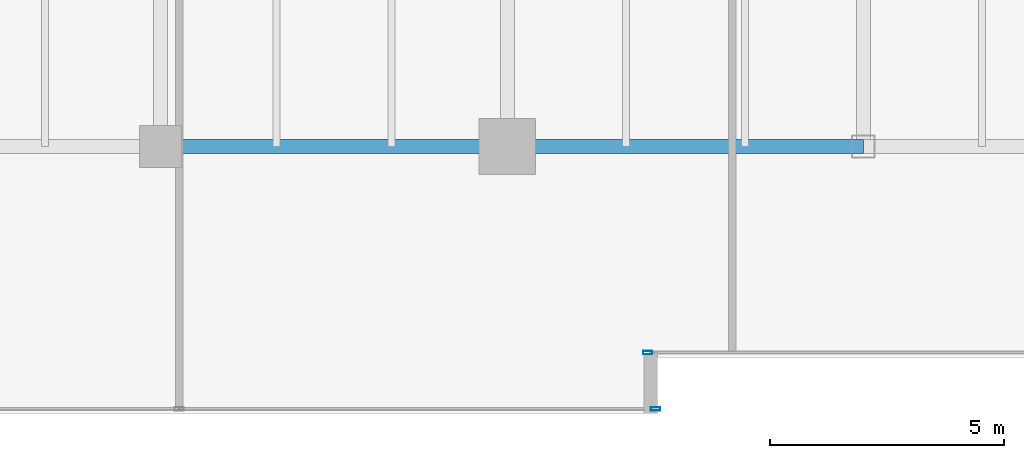
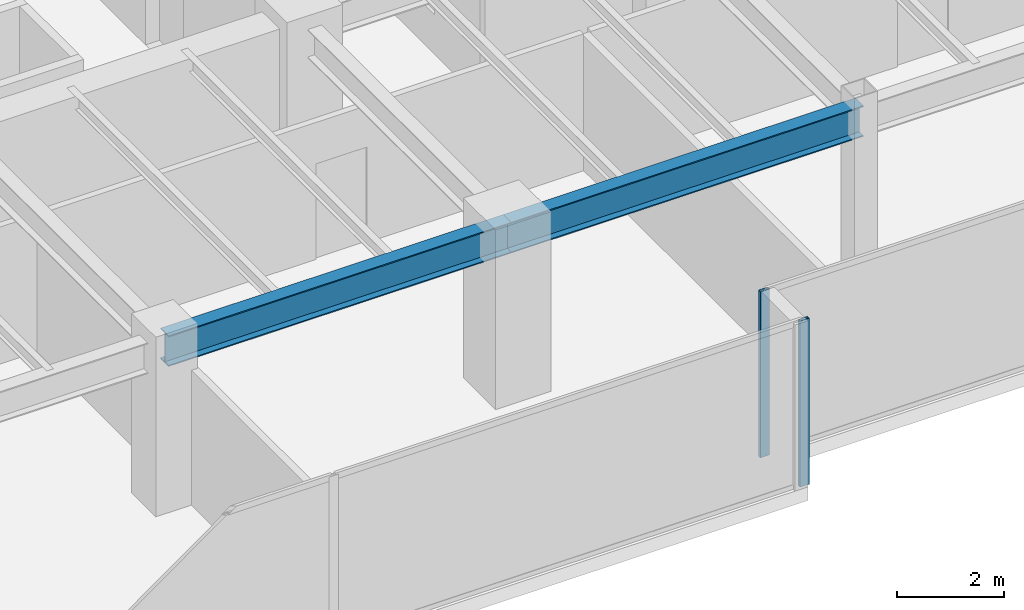
# One storey, part 4 of 30: 2 beams, 2 members, 2 elements without a shape of their own.
"""IFC4 building model written with IfcOpenShell, lengths in metres."""

from ifc_helpers import new_model, si_unit, direction, frame, origin, origin_2d, place, context, subcontext, project, spatial, hollow_rectangle, i_section, extrude, source, transform, mapped, material, layer, layer_set, material_profile, profile_set, type_object, type_shapes, element, aggregate, save


model = new_model("IFC4")

# Units and contexts
model_context = context("Model", 3, precision=1e-05, world=origin(), true_north=direction((0.0, 1.0)))
body_context = subcontext(model_context, "Body", "Model", "MODEL_VIEW")
ifc_project = project(units=[si_unit("LENGTHUNIT", "METRE"), si_unit("AREAUNIT", "SQUARE_METRE"), si_unit("VOLUMEUNIT", "CUBIC_METRE"), si_unit("PLANEANGLEUNIT", "RADIAN"), si_unit("MASSUNIT", "GRAM", prefix="KILO")], contexts=[model_context])

# Site, building, storey
site_placement = place(None, origin())
site = spatial("IfcSite", under=ifc_project, at=site_placement, CompositionType="ELEMENT")
building_placement = place(site_placement, origin())
building = spatial("IfcBuilding", under=site, at=building_placement, Name="Haelvirn Gate Laboratories", CompositionType="ELEMENT")
storey_placement = place(building_placement, frame((0.0, 0.0, 105.10009765625)))
storey = spatial("IfcBuildingStorey", under=building, at=storey_placement, Name="L25", CompositionType="ELEMENT", Elevation=105.10009765625)

# Beams
ifc_material_1 = material(Name="Steel SM355", Category="steel")
ifc_material_profile_1 = material_profile(ifc_material_1, i_section(OverallWidth=0.300048828125, OverallDepth=0.699951171875, WebThickness=0.012939453125, FlangeThickness=0.02392578125, at=origin_2d()), Name="H-700x300x13x24")
ifc_profile_set_1 = profile_set([ifc_material_profile_1], Name="Steel SM355")
beam_type = type_object("IfcBeamType", Name="BM-G-700", PredefinedType="BEAM", material=ifc_profile_set_1)
shared_shape_1 = source(origin(), body_context, "Body", "SweptSolid", [
    extrude(i_section(OverallWidth=0.300048828125, OverallDepth=0.699951171875, WebThickness=0.012939453125, FlangeThickness=0.02392578125, at=origin_2d()), origin(), (0.0, 0.0, 1.0), 7.39990234375),
])
beam_1_placement = place(storey_placement, frame((14.800048828125, 7.0, 3.43994140625), z_axis=(1.0, 0.0, 0.0), x_axis=(0.0, 1.0, 0.0)))
element("IfcBeam", 1, at=beam_1_placement, inside=storey, type_object=beam_type, Name="L25 Primary Girder Y7.0 (14.8-22.2)", PredefinedType="BEAM", context=body_context, shape_type="MappedRepresentation", body=[
    mapped(shared_shape_1, transform((0.0, 0.0, 0.0), scale=1.0)),
])
shared_shape_2 = source(origin(), body_context, "Body", "SweptSolid", [
    extrude(i_section(OverallWidth=0.300048828125, OverallDepth=0.699951171875, WebThickness=0.012939453125, FlangeThickness=0.02392578125, at=origin_2d()), origin(), (0.0, 0.0, 1.0), 7.60009765625),
])
type_shapes(beam_type, [shared_shape_1, shared_shape_2])
beam_2_placement = place(storey_placement, frame((22.199951171875, 7.0, 3.43994140625), z_axis=(1.0, 0.0, 0.0), x_axis=(0.0, 1.0, 0.0)))
element("IfcBeam", 2, at=beam_2_placement, inside=storey, type_object=beam_type, Name="L25 Primary Girder Y7.0 (22.2-29.8)", PredefinedType="BEAM", context=body_context, shape_type="MappedRepresentation", body=[
    mapped(shared_shape_2, transform((0.0, 0.0, 0.0), scale=1.0)),
])

# Curtain wall, member
ifc_material_2 = material(Name="Anodised bronze unitised aluminium & triple low-E glass", Category="aluminium")
ifc_layer = layer(ifc_material_2, 0.179931640625, Name="CW-SYS-3")
ifc_layer_set = layer_set([ifc_layer], Name="Anodised bronze unitised aluminium & triple low-E glass")
curtain_wall_type = type_object("IfcCurtainWallType", Name="CW-SYS-3", PredefinedType="NOTDEFINED", material=ifc_layer_set)
curtain_wall_1_placement = place(storey_placement, origin())
curtain_wall_1 = element("IfcCurtainWall", 3, at=curtain_wall_1_placement, inside=storey, type_object=curtain_wall_type, Name="L25 Unitised Curtain Wall CW-L25-P0-E00-1", PredefinedType="NOTDEFINED")
ifc_material_3 = material(Name="Extruded aluminium 6063-T6 (anodised bronze)", Category="aluminium")
ifc_material_profile_2 = material_profile(ifc_material_3, hollow_rectangle(XDim=0.074951171875, YDim=0.199951171875, WallThickness=0.0048828125, at=origin_2d()), Name="CWM-200x75x5")
ifc_profile_set_2 = profile_set([ifc_material_profile_2], Name="Extruded aluminium 6063-T6 (anodised bronze)")
member_type = type_object("IfcMemberType", Name="CWM-T200", PredefinedType="MULLION", material=ifc_profile_set_2)
shared_shape_3 = source(origin(), body_context, "Body", "SweptSolid", [
    extrude(hollow_rectangle(XDim=0.074951171875, YDim=0.199951171875, WallThickness=0.0048828125, at=origin_2d()), origin(), (0.0, 0.0, 1.0), 3.789794921875),
])
type_shapes(member_type, [shared_shape_3])
member_1_placement = place(storey_placement, frame((25.362548828125, 1.39990234375, 0.0), z_axis=(0.0, 0.0, 1.0), x_axis=(0.0, 1.0, 0.0)))
member_1 = element("IfcMember", 4, at=member_1_placement, type_object=member_type, Name="CW3 mullion 3", PredefinedType="MULLION", context=body_context, shape_type="MappedRepresentation", body=[
    mapped(shared_shape_3, transform((0.0, 0.0, 0.0), scale=1.0)),
])
aggregate(curtain_wall_1, [member_1])

curtain_wall_2_placement = place(storey_placement, origin())
curtain_wall_2 = element("IfcCurtainWall", 5, at=curtain_wall_2_placement, inside=storey, type_object=curtain_wall_type, Name="L25 Unitised Curtain Wall CW-L25-P0-E02-1", PredefinedType="NOTDEFINED")
member_2_placement = place(storey_placement, frame((25.197509765625, 2.60009765625, 0.0), z_axis=(0.0, 0.0, 1.0), x_axis=(0.0, 1.0, 0.0)))
member_2 = element("IfcMember", 6, at=member_2_placement, type_object=member_type, Name="CW3 mullion 1", PredefinedType="MULLION", context=body_context, shape_type="MappedRepresentation", body=[
    mapped(shared_shape_3, transform((0.0, 0.0, 0.0), scale=1.0)),
])
aggregate(curtain_wall_2, [member_2])

save(model, "model.ifc")
